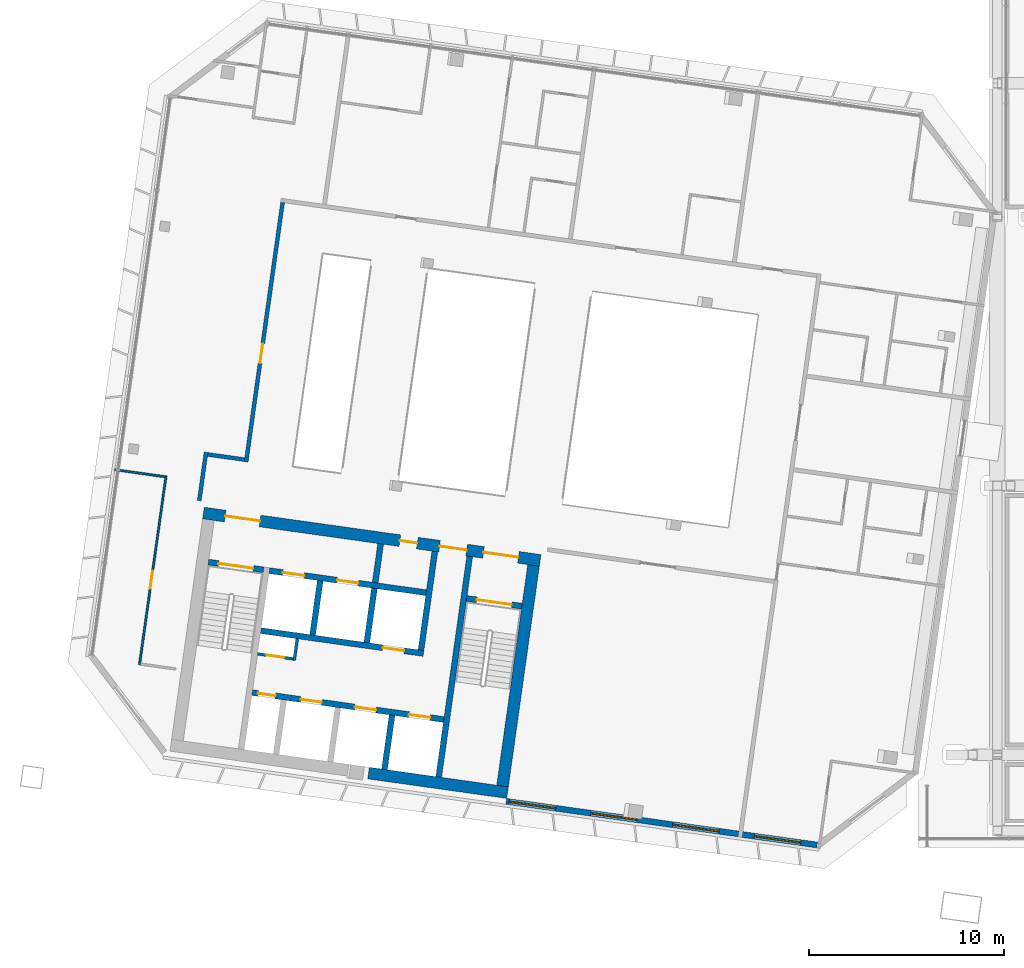
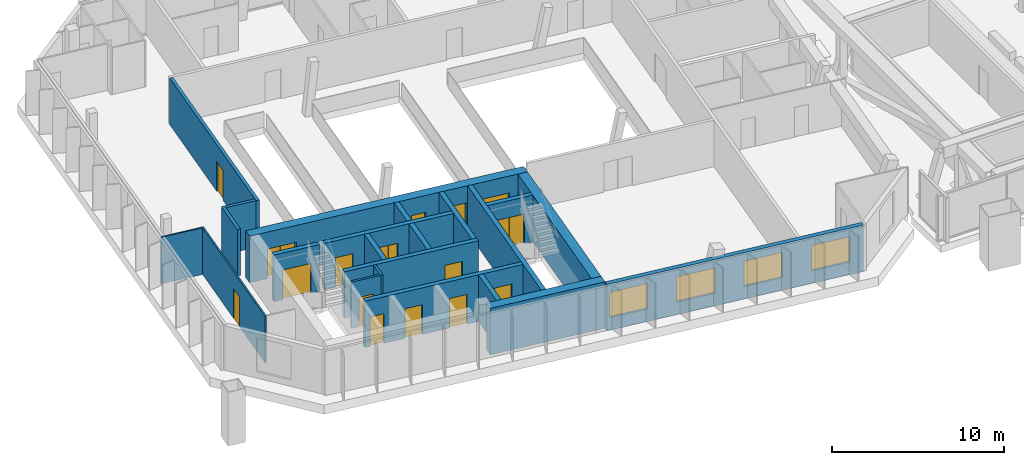
# One storey, part 15 of 25: 22 walls, 16 doors, 4 windows, 20 openings.
"""IFC4 building model written with IfcOpenShell, lengths in metres."""

from ifc_helpers import new_model, si_unit, direction, frame, frame_2d, origin, place, context, subcontext, project, spatial, rectangle, extrude, material, layer, layer_set, type_object, element, fill, save


model = new_model("IFC4")

# Units and contexts
model_context = context("Model", 3, precision=1e-05, world=origin(), true_north=direction((0.0, 1.0)))
body_context = subcontext(model_context, "Body", "Model", "MODEL_VIEW")
ifc_project = project(units=[si_unit("LENGTHUNIT", "METRE"), si_unit("AREAUNIT", "SQUARE_METRE"), si_unit("VOLUMEUNIT", "CUBIC_METRE"), si_unit("PLANEANGLEUNIT", "RADIAN"), si_unit("MASSUNIT", "GRAM", prefix="KILO")], contexts=[model_context])

# Site, building, storey
site_placement = place(None, origin())
site = spatial("IfcSite", under=ifc_project, at=site_placement, CompositionType="ELEMENT")
building_placement = place(site_placement, origin())
building = spatial("IfcBuilding", under=site, at=building_placement, Name="Mirante Cascada Hotel Towers", CompositionType="ELEMENT")
storey_placement = place(building_placement, frame((0.0, 0.0, 266.0)))
storey = spatial("IfcBuildingStorey", under=building, at=storey_placement, Name="L64", CompositionType="ELEMENT", Elevation=266.0)

# Wall
ifc_material_1 = material(Name="Fire-rated plasterboard on metal studs")
ifc_layer_1 = layer(ifc_material_1, 0.2)
ifc_layer_set_1 = layer_set([ifc_layer_1], Name="Compartment wall 200 EI 120")
wall_type_1 = type_object("IfcWallType", Name="Compartment wall 200 EI 120", PredefinedType="PARTITIONING", material=ifc_layer_set_1)
wall_1_placement = place(storey_placement, frame((-52.6552, -2.2494, 0.0), z_axis=(0.0, 0.0, 1.0), x_axis=(0.9902628, -0.1392105, 0.0)))
element("IfcWall", 1, at=wall_1_placement, inside=storey, type_object=wall_type_1, Name="Wall 1-L64-06", PredefinedType="PARTITIONING", context=body_context, shape_type="SweptSolid", body=[
    extrude(rectangle(XDim=1.9, YDim=0.2, at=frame_2d((0.95, 0.0))), origin(), (0.0, 0.0, 1.0), 3.3),
])

# Wall, opening, door
wall_2_placement = place(storey_placement, frame((-48.8237, 10.6428, 0.0), z_axis=(0.0, 0.0, 1.0), x_axis=(-0.1391716, -0.9902683, 0.0)))
wall_2 = element("IfcWall", 2, at=wall_2_placement, inside=storey, type_object=wall_type_1, Name="Wall 1-L64-42", PredefinedType="PARTITIONING", context=body_context, shape_type="SweptSolid", body=[
    extrude(rectangle(XDim=13.4, YDim=0.2, at=frame_2d((6.7, 0.0))), origin(), (0.0, 0.0, 1.0), 3.3),
])
opening_1_placement = place(wall_2_placement, frame((7.3, 0.0, 0.0)))
opening_1 = element("IfcOpeningElement", 3, at=opening_1_placement, cuts=wall_2, Name="Opening D1-L64-26", PredefinedType="OPENING", context=body_context, shape_type="SweptSolid", body=[
    extrude(rectangle(XDim=1.0, YDim=2.1, at=frame_2d((0.5, 1.05))), frame((0.0, 0.1, 0.0), z_axis=(0.0, -1.0, 0.0), x_axis=(1.0, 0.0, 0.0)), (0.0, 0.0, 1.0), 0.2),
])
ifc_material_2 = material(Name="Fire-rated timber door leaf", Category="wood")
door_type_1 = type_object("IfcDoorType", Name="Entrance door DG1 1000x2100 EI 60", OperationType="SINGLE_SWING_LEFT", PredefinedType="DOOR", material=ifc_material_2)
door_1_placement = place(opening_1_placement, frame((1.0, 0.0, 0.0), z_axis=(0.0, 0.0, 1.0), x_axis=(-1.0, 0.0, 0.0)))
door_1 = element("IfcDoor", 4, at=door_1_placement, inside=storey, type_object=door_type_1, Name="Door D1-L64-26", OperationType="SINGLE_SWING_RIGHT", OverallHeight=2.1, OverallWidth=1.0, PredefinedType="DOOR", context=body_context, shape_type="SweptSolid", body=[
    extrude(rectangle(XDim=1.0, YDim=2.1, at=frame_2d((0.5, 1.05))), frame((0.0, 0.025, 0.0), z_axis=(0.0, -1.0, 0.0), x_axis=(1.0, 0.0, 0.0)), (0.0, 0.0, 1.0), 0.05),
])
fill(opening_1, door_1)

# Walls
wall_3_placement = place(storey_placement, frame((-52.7403, -2.1365, 0.0), z_axis=(0.0, 0.0, 1.0), x_axis=(-0.1391586, -0.9902701, 0.0)))
element("IfcWall", 5, at=wall_3_placement, inside=storey, type_object=wall_type_1, Name="Wall 1-L64-44", PredefinedType="PARTITIONING", context=body_context, shape_type="SweptSolid", body=[
    extrude(rectangle(XDim=2.5, YDim=0.2, at=frame_2d((1.25, 0.0))), origin(), (0.0, 0.0, 1.0), 3.3),
])
ifc_material_3 = material(Name="Masonry block", Category="masonry")
ifc_layer_2 = layer(ifc_material_3, 0.15)
ifc_layer_set_2 = layer_set([ifc_layer_2], Name="Core room partition 150 block EI 30")
wall_type_2 = type_object("IfcWallType", Name="Core room partition 150 block EI 30", PredefinedType="PARTITIONING", material=ifc_layer_set_2)
wall_4_placement = place(storey_placement, frame((-48.2295, -12.793, 0.0), z_axis=(0.0, 0.0, 1.0), x_axis=(0.1391935, 0.9902652, 0.0)))
element("IfcWall", 6, at=wall_4_placement, inside=storey, type_object=wall_type_2, Name="Core wall partition T1 L64 2", PredefinedType="PARTITIONING", context=body_context, shape_type="SweptSolid", body=[
    extrude(rectangle(XDim=1.1251, YDim=0.15, at=frame_2d((0.5626, 0.0))), origin(), (0.0, 0.0, 1.0), 3.3),
])

# Wall, opening, door
wall_5_placement = place(storey_placement, frame((-48.2933, -12.7083, 0.0), z_axis=(0.0, 0.0, 1.0), x_axis=(-0.990268, 0.1391734, 0.0)))
wall_5 = element("IfcWall", 7, at=wall_5_placement, inside=storey, type_object=wall_type_2, Name="Core wall partition T1 L64 3", PredefinedType="PARTITIONING", context=body_context, shape_type="SweptSolid", body=[
    extrude(rectangle(XDim=1.8251, YDim=0.15, at=frame_2d((0.9126, 0.0))), origin(), (0.0, 0.0, 1.0), 3.3),
])
opening_2_placement = place(wall_5_placement, frame((0.4625, 0.0, 0.0)))
opening_2 = element("IfcOpeningElement", 8, at=opening_2_placement, cuts=wall_5, Name="Opening D1-64-C13", PredefinedType="OPENING", context=body_context, shape_type="SweptSolid", body=[
    extrude(rectangle(XDim=0.9, YDim=2.1, at=frame_2d((0.45, 1.05))), frame((0.0, 0.075, 0.0), z_axis=(0.0, -1.0, 0.0), x_axis=(1.0, 0.0, 0.0)), (0.0, 0.0, 1.0), 0.15),
])
ifc_material_4 = material(Name="Hollow metal fire door leaf")
door_type_2 = type_object("IfcDoorType", Name="Fire door 900x2100 FD60", OperationType="NOTDEFINED", PredefinedType="DOOR", material=ifc_material_4)
door_2_placement = place(opening_2_placement, origin())
door_2 = element("IfcDoor", 9, at=door_2_placement, inside=storey, type_object=door_type_2, Name="Riser door T1 L64 13", OperationType="SINGLE_SWING_LEFT", OverallHeight=2.1, OverallWidth=0.9, PredefinedType="DOOR", context=body_context, shape_type="SweptSolid", body=[
    extrude(rectangle(XDim=0.9, YDim=2.1, at=frame_2d((0.45, 1.05))), frame((0.0, 0.025, 0.0), z_axis=(0.0, -1.0, 0.0), x_axis=(1.0, 0.0, 0.0)), (0.0, 0.0, 1.0), 0.05),
])
fill(opening_2, door_2)

# Walls
ifc_material_5 = material(Name="Masonry block", Category="masonry")
ifc_layer_3 = layer(ifc_material_5, 0.3)
ifc_layer_set_3 = layer_set([ifc_layer_3], Name="Core wall 300 block EI 120")
wall_type_3 = type_object("IfcWallType", Name="Core wall 300 block EI 120", PredefinedType="PARTITIONING", material=ifc_layer_set_3)
wall_6_placement = place(storey_placement, frame((-44.0843, -8.8061, 0.0), z_axis=(0.0, 0.0, 1.0), x_axis=(0.1391951, 0.990265, 0.0)))
element("IfcWall", 10, at=wall_6_placement, inside=storey, type_object=wall_type_3, Name="Core wall partition T1 L64 1", PredefinedType="PARTITIONING", context=body_context, shape_type="SweptSolid", body=[
    extrude(rectangle(XDim=2.0001, YDim=0.3, at=frame_2d((1.0001, 0.0))), origin(), (0.0, 0.0, 1.0), 3.3),
])
ifc_material_6 = material(Name="Plasterboard on metal studs")
ifc_layer_4 = layer(ifc_material_6, 0.1)
ifc_layer_set_4 = layer_set([ifc_layer_4], Name="Partition 100")
wall_type_4 = type_object("IfcWallType", Name="Partition 100", PredefinedType="PARTITIONING", material=ifc_layer_set_4)
wall_7_placement = place(storey_placement, frame((-54.8451, -3.389, 0.0), z_axis=(0.0, 0.0, 1.0), x_axis=(-0.9902712, 0.1391507, 0.0)))
element("IfcWall", 11, at=wall_7_placement, inside=storey, type_object=wall_type_4, Name="Wall 1-L64-05", PredefinedType="PARTITIONING", context=body_context, shape_type="SweptSolid", body=[
    extrude(rectangle(XDim=2.59, YDim=0.1, at=frame_2d((1.295, 0.0))), origin(), (0.0, 0.0, 1.0), 3.3),
])

# Wall, opening, door
wall_8_placement = place(storey_placement, frame((-54.7886, -3.3465, 0.0), z_axis=(0.0, 0.0, 1.0), x_axis=(-0.1391776, -0.9902674, 0.0)))
wall_8 = element("IfcWall", 12, at=wall_8_placement, inside=storey, type_object=wall_type_4, Name="Wall 1-L64-46", PredefinedType="PARTITIONING", context=body_context, shape_type="SweptSolid", body=[
    extrude(rectangle(XDim=9.7667, YDim=0.1, at=frame_2d((4.8834, 0.0))), origin(), (0.0, 0.0, 1.0), 3.3),
])
opening_3_placement = place(wall_8_placement, frame((4.9167, 0.0, 0.0)))
opening_3 = element("IfcOpeningElement", 13, at=opening_3_placement, cuts=wall_8, Name="Opening D1-L64-28", PredefinedType="OPENING", context=body_context, shape_type="SweptSolid", body=[
    extrude(rectangle(XDim=0.9, YDim=2.1, at=frame_2d((0.45, 1.05))), frame((0.0, 0.05, 0.0), z_axis=(0.0, -1.0, 0.0), x_axis=(1.0, 0.0, 0.0)), (0.0, 0.0, 1.0), 0.1),
])
ifc_material_7 = material(Name="Timber door leaf", Category="wood")
door_type_3 = type_object("IfcDoorType", Name="Room door DG3 900x2100", OperationType="SINGLE_SWING_LEFT", PredefinedType="DOOR", material=ifc_material_7)
door_3_placement = place(opening_3_placement, origin())
door_3 = element("IfcDoor", 14, at=door_3_placement, inside=storey, type_object=door_type_3, Name="Door D1-L64-28", OperationType="SINGLE_SWING_LEFT", OverallHeight=2.1, OverallWidth=0.9, PredefinedType="DOOR", context=body_context, shape_type="SweptSolid", body=[
    extrude(rectangle(XDim=0.9, YDim=2.1, at=frame_2d((0.45, 1.05))), frame((0.0, 0.025, 0.0), z_axis=(0.0, -1.0, 0.0), x_axis=(1.0, 0.0, 0.0)), (0.0, 0.0, 1.0), 0.05),
])
fill(opening_3, door_3)

# Wall, openings, windows
ifc_material_8 = material(Name="Precast concrete C40/50", Category="concrete")
ifc_layer_5 = layer(ifc_material_8, 0.3)
ifc_layer_set_5 = layer_set([ifc_layer_5], Name="Precast concrete C40/50 cladding wall 300")
wall_type_5 = type_object("IfcWallType", Name="Precast concrete C40/50 cladding wall 300", PredefinedType="STANDARD", material=ifc_layer_set_5)
wall_9_placement = place(storey_placement, frame((-21.4719, -22.2338, 0.0), z_axis=(0.0, 0.0, 1.0), x_axis=(-0.9902678, 0.1391747, 0.0)))
wall_9 = element("IfcWall", 15, at=wall_9_placement, inside=storey, type_object=wall_type_5, Name="Rear cladding wall T1 L64 1", PredefinedType="STANDARD", context=body_context, shape_type="SweptSolid", body=[
    extrude(rectangle(XDim=16.0611, YDim=0.3, at=frame_2d((8.0306, 0.0))), origin(), (0.0, 0.0, 1.0), 3.3),
])
opening_4_placement = place(wall_9_placement, frame((0.8481, 0.0, 0.9)))
opening_4 = element("IfcOpeningElement", 16, at=opening_4_placement, cuts=wall_9, Name="Opening W1-64-01", PredefinedType="OPENING", context=body_context, shape_type="SweptSolid", body=[
    extrude(rectangle(XDim=2.4, YDim=1.8, at=frame_2d((1.2, 0.9))), frame((0.0, 0.15, 0.0), z_axis=(0.0, -1.0, 0.0), x_axis=(1.0, 0.0, 0.0)), (0.0, 0.0, 1.0), 0.3),
])
opening_5_placement = place(wall_9_placement, frame((5.0682, 0.0, 0.9)))
opening_5 = element("IfcOpeningElement", 17, at=opening_5_placement, cuts=wall_9, Name="Opening W1-64-02", PredefinedType="OPENING", context=body_context, shape_type="SweptSolid", body=[
    extrude(rectangle(XDim=2.4, YDim=1.8, at=frame_2d((1.2, 0.9))), frame((0.0, 0.15, 0.0), z_axis=(0.0, -1.0, 0.0), x_axis=(1.0, 0.0, 0.0)), (0.0, 0.0, 1.0), 0.3),
])
opening_6_placement = place(wall_9_placement, frame((9.2883, 0.0, 0.9)))
opening_6 = element("IfcOpeningElement", 18, at=opening_6_placement, cuts=wall_9, Name="Opening W1-64-03", PredefinedType="OPENING", context=body_context, shape_type="SweptSolid", body=[
    extrude(rectangle(XDim=2.4, YDim=1.8, at=frame_2d((1.2, 0.9))), frame((0.0, 0.15, 0.0), z_axis=(0.0, -1.0, 0.0), x_axis=(1.0, 0.0, 0.0)), (0.0, 0.0, 1.0), 0.3),
])
opening_7_placement = place(wall_9_placement, frame((13.5084, 0.0, 0.9)))
opening_7 = element("IfcOpeningElement", 19, at=opening_7_placement, cuts=wall_9, Name="Opening W1-64-04", PredefinedType="OPENING", context=body_context, shape_type="SweptSolid", body=[
    extrude(rectangle(XDim=2.4, YDim=1.8, at=frame_2d((1.2, 0.9))), frame((0.0, 0.15, 0.0), z_axis=(0.0, -1.0, 0.0), x_axis=(1.0, 0.0, 0.0)), (0.0, 0.0, 1.0), 0.3),
])
ifc_material_9 = material(Name="Aluminium frame with clear double glazing", Category="aluminium")
window_type = type_object("IfcWindowType", Name="Punched window 2400x1800", PartitioningType="DOUBLE_PANEL_VERTICAL", PredefinedType="WINDOW", material=ifc_material_9)
window_1_placement = place(opening_4_placement, origin())
window_1 = element("IfcWindow", 20, at=window_1_placement, inside=storey, type_object=window_type, Name="Window W1-64-01", OverallHeight=1.8, OverallWidth=2.4, PartitioningType="SINGLE_PANEL", PredefinedType="WINDOW", context=body_context, shape_type="SweptSolid", body=[
    extrude(rectangle(XDim=2.4, YDim=1.8, at=frame_2d((1.2, 0.9))), frame((0.0, 0.03, 0.0), z_axis=(0.0, -1.0, 0.0), x_axis=(1.0, 0.0, 0.0)), (0.0, 0.0, 1.0), 0.06),
])
fill(opening_4, window_1)
window_2_placement = place(opening_5_placement, origin())
window_2 = element("IfcWindow", 21, at=window_2_placement, inside=storey, type_object=window_type, Name="Window W1-64-02", OverallHeight=1.8, OverallWidth=2.4, PartitioningType="SINGLE_PANEL", PredefinedType="WINDOW", context=body_context, shape_type="SweptSolid", body=[
    extrude(rectangle(XDim=2.4, YDim=1.8, at=frame_2d((1.2, 0.9))), frame((0.0, 0.03, 0.0), z_axis=(0.0, -1.0, 0.0), x_axis=(1.0, 0.0, 0.0)), (0.0, 0.0, 1.0), 0.06),
])
fill(opening_5, window_2)
window_3_placement = place(opening_6_placement, origin())
window_3 = element("IfcWindow", 22, at=window_3_placement, inside=storey, type_object=window_type, Name="Window W1-64-03", OverallHeight=1.8, OverallWidth=2.4, PartitioningType="SINGLE_PANEL", PredefinedType="WINDOW", context=body_context, shape_type="SweptSolid", body=[
    extrude(rectangle(XDim=2.4, YDim=1.8, at=frame_2d((1.2, 0.9))), frame((0.0, 0.03, 0.0), z_axis=(0.0, -1.0, 0.0), x_axis=(1.0, 0.0, 0.0)), (0.0, 0.0, 1.0), 0.06),
])
fill(opening_6, window_3)
window_4_placement = place(opening_7_placement, origin())
window_4 = element("IfcWindow", 23, at=window_4_placement, inside=storey, type_object=window_type, Name="Window W1-64-04", OverallHeight=1.8, OverallWidth=2.4, PartitioningType="SINGLE_PANEL", PredefinedType="WINDOW", context=body_context, shape_type="SweptSolid", body=[
    extrude(rectangle(XDim=2.4, YDim=1.8, at=frame_2d((1.2, 0.9))), frame((0.0, 0.03, 0.0), z_axis=(0.0, -1.0, 0.0), x_axis=(1.0, 0.0, 0.0)), (0.0, 0.0, 1.0), 0.06),
])
fill(opening_7, window_4)

# Wall
ifc_material_10 = material(Name="Concrete C50/60", Category="concrete")
ifc_layer_6 = layer(ifc_material_10, 0.3)
ifc_layer_set_6 = layer_set([ifc_layer_6], Name="RC core wall 300 C50/60")
wall_type_6 = type_object("IfcWallType", Name="RC core wall 300 C50/60", PredefinedType="SHEAR", material=ifc_layer_set_6)
wall_10_placement = place(storey_placement, frame((-40.8373, -18.7548, 0.0), z_axis=(0.0, 0.0, 1.0), x_axis=(0.1391749, 0.9902678, 0.0)))
element("IfcWall", 24, at=wall_10_placement, inside=storey, type_object=wall_type_6, Name="Core wall T1:L64:5", PredefinedType="SHEAR", context=body_context, shape_type="SweptSolid", body=[
    extrude(rectangle(XDim=11.4, YDim=0.3, at=frame_2d((5.7, 0.0))), origin(), (0.0, 0.0, 1.0), 3.3),
])

# Wall, opening, door
wall_11_placement = place(storey_placement, frame((-36.5791, -10.0123, 0.0), z_axis=(0.0, 0.0, 1.0), x_axis=(-0.9902704, 0.1391564, 0.0)))
wall_11 = element("IfcWall", 25, at=wall_11_placement, inside=storey, type_object=wall_type_6, Name="Core wall T1:L64:7", PredefinedType="SHEAR", context=body_context, shape_type="SweptSolid", body=[
    extrude(rectangle(XDim=2.85, YDim=0.3, at=frame_2d((1.425, 0.0))), origin(), (0.0, 0.0, 1.0), 3.3),
])
opening_8_placement = place(wall_11_placement, frame((0.525, 0.0, 0.0)))
opening_8 = element("IfcOpeningElement", 26, at=opening_8_placement, cuts=wall_11, Name="Opening D1-64-C07", PredefinedType="OPENING", context=body_context, shape_type="SweptSolid", body=[
    extrude(rectangle(XDim=1.8, YDim=2.1, at=frame_2d((0.9, 1.05))), frame((0.0, 0.15, 0.0), z_axis=(0.0, -1.0, 0.0), x_axis=(1.0, 0.0, 0.0)), (0.0, 0.0, 1.0), 0.3),
])
ifc_material_11 = material(Name="Hollow metal fire door leaf")
door_type_4 = type_object("IfcDoorType", Name="Double fire door 1800x2100 FD60", OperationType="DOUBLE_DOOR_SINGLE_SWING", PredefinedType="DOOR", material=ifc_material_11)
door_4_placement = place(opening_8_placement, origin())
door_4 = element("IfcDoor", 27, at=door_4_placement, inside=storey, type_object=door_type_4, Name="Stair door T1 L64 7", OperationType="DOUBLE_DOOR_SINGLE_SWING", OverallHeight=2.1, OverallWidth=1.8, PredefinedType="DOOR", context=body_context, shape_type="SweptSolid", body=[
    extrude(rectangle(XDim=0.895, YDim=2.1, at=frame_2d((0.4475, 1.05))), frame((0.0, 0.025, 0.0), z_axis=(0.0, -1.0, 0.0), x_axis=(1.0, 0.0, 0.0)), (0.0, 0.0, 1.0), 0.05),
    extrude(rectangle(XDim=0.895, YDim=2.1, at=frame_2d((1.3525, 1.05))), frame((0.0, 0.025, 0.0), z_axis=(0.0, -1.0, 0.0), x_axis=(1.0, 0.0, 0.0)), (0.0, 0.0, 1.0), 0.05),
])
fill(opening_8, door_4)

wall_12_placement = place(storey_placement, frame((-49.7992, -8.1544, 0.0), z_axis=(0.0, 0.0, 1.0), x_axis=(-0.9902656, 0.1391909, 0.0)))
wall_12 = element("IfcWall", 28, at=wall_12_placement, inside=storey, type_object=wall_type_6, Name="Core wall T1:L64:8", PredefinedType="SHEAR", context=body_context, shape_type="SweptSolid", body=[
    extrude(rectangle(XDim=2.85, YDim=0.3, at=frame_2d((1.425, 0.0))), origin(), (0.0, 0.0, 1.0), 3.3),
])
opening_9_placement = place(wall_12_placement, frame((0.525, 0.0, 0.0)))
opening_9 = element("IfcOpeningElement", 29, at=opening_9_placement, cuts=wall_12, Name="Opening D1-64-C09", PredefinedType="OPENING", context=body_context, shape_type="SweptSolid", body=[
    extrude(rectangle(XDim=1.8, YDim=2.1, at=frame_2d((0.9, 1.05))), frame((0.0, 0.15, 0.0), z_axis=(0.0, -1.0, 0.0), x_axis=(1.0, 0.0, 0.0)), (0.0, 0.0, 1.0), 0.3),
])
door_5_placement = place(opening_9_placement, origin())
door_5 = element("IfcDoor", 30, at=door_5_placement, inside=storey, type_object=door_type_4, Name="Stair door T1 L64 9", OperationType="DOUBLE_DOOR_SINGLE_SWING", OverallHeight=2.1, OverallWidth=1.8, PredefinedType="DOOR", context=body_context, shape_type="SweptSolid", body=[
    extrude(rectangle(XDim=0.895, YDim=2.1, at=frame_2d((0.4475, 1.05))), frame((0.0, 0.025, 0.0), z_axis=(0.0, -1.0, 0.0), x_axis=(1.0, 0.0, 0.0)), (0.0, 0.0, 1.0), 0.05),
    extrude(rectangle(XDim=0.895, YDim=2.1, at=frame_2d((1.3525, 1.05))), frame((0.0, 0.025, 0.0), z_axis=(0.0, -1.0, 0.0), x_axis=(1.0, 0.0, 0.0)), (0.0, 0.0, 1.0), 0.05),
])
fill(opening_9, door_5)

# Wall, openings, doors
wall_13_placement = place(storey_placement, frame((-40.5753, -15.8126, 0.0), z_axis=(0.0, 0.0, 1.0), x_axis=(-0.9902682, 0.1391725, 0.0)))
wall_13 = element("IfcWall", 31, at=wall_13_placement, inside=storey, type_object=wall_type_6, Name="Core wall T1:L64:9", PredefinedType="SHEAR", context=body_context, shape_type="SweptSolid", body=[
    extrude(rectangle(XDim=9.8999, YDim=0.3, at=frame_2d((4.95, 0.0))), origin(), (0.0, 0.0, 1.0), 3.3),
])
opening_10_placement = place(wall_13_placement, frame((0.7, 0.0, 0.0)))
opening_10 = element("IfcOpeningElement", 32, at=opening_10_placement, cuts=wall_13, Name="Opening LD", PredefinedType="OPENING", context=body_context, shape_type="SweptSolid", body=[
    extrude(rectangle(XDim=1.1, YDim=2.1, at=frame_2d((0.55, 1.05))), frame((0.0, 0.15, 0.0), z_axis=(0.0, -1.0, 0.0), x_axis=(1.0, 0.0, 0.0)), (0.0, 0.0, 1.0), 0.3),
])
opening_11_placement = place(wall_13_placement, frame((3.5, 0.0, 0.0)))
opening_11 = element("IfcOpeningElement", 33, at=opening_11_placement, cuts=wall_13, Name="Opening LD", PredefinedType="OPENING", context=body_context, shape_type="SweptSolid", body=[
    extrude(rectangle(XDim=1.1, YDim=2.1, at=frame_2d((0.55, 1.05))), frame((0.0, 0.15, 0.0), z_axis=(0.0, -1.0, 0.0), x_axis=(1.0, 0.0, 0.0)), (0.0, 0.0, 1.0), 0.3),
])
opening_12_placement = place(wall_13_placement, frame((6.3, 0.0, 0.0)))
opening_12 = element("IfcOpeningElement", 34, at=opening_12_placement, cuts=wall_13, Name="Opening LD", PredefinedType="OPENING", context=body_context, shape_type="SweptSolid", body=[
    extrude(rectangle(XDim=1.1, YDim=2.1, at=frame_2d((0.55, 1.05))), frame((0.0, 0.15, 0.0), z_axis=(0.0, -1.0, 0.0), x_axis=(1.0, 0.0, 0.0)), (0.0, 0.0, 1.0), 0.3),
])
opening_13_placement = place(wall_13_placement, frame((8.7, 0.0, 0.0)))
opening_13 = element("IfcOpeningElement", 35, at=opening_13_placement, cuts=wall_13, Name="Opening D1-64-C12", PredefinedType="OPENING", context=body_context, shape_type="SweptSolid", body=[
    extrude(rectangle(XDim=0.9, YDim=2.1, at=frame_2d((0.45, 1.05))), frame((0.0, 0.15, 0.0), z_axis=(0.0, -1.0, 0.0), x_axis=(1.0, 0.0, 0.0)), (0.0, 0.0, 1.0), 0.3),
])
door_6_placement = place(opening_13_placement, origin())
door_6 = element("IfcDoor", 36, at=door_6_placement, inside=storey, type_object=door_type_2, Name="Riser door T1 L64 12", OperationType="SINGLE_SWING_LEFT", OverallHeight=2.1, OverallWidth=0.9, PredefinedType="DOOR", context=body_context, shape_type="SweptSolid", body=[
    extrude(rectangle(XDim=0.9, YDim=2.1, at=frame_2d((0.45, 1.05))), frame((0.0, 0.025, 0.0), z_axis=(0.0, -1.0, 0.0), x_axis=(1.0, 0.0, 0.0)), (0.0, 0.0, 1.0), 0.05),
])
fill(opening_13, door_6)
ifc_material_12 = material(Name="Stainless steel", Category="steel")
door_type_5 = type_object("IfcDoorType", Name="Lift landing door 1100x2100 EI 120", OperationType="DOUBLE_DOOR_SLIDING", PredefinedType="DOOR", material=ifc_material_12)
door_7_placement = place(opening_10_placement, origin())
door_7 = element("IfcDoor", 37, at=door_7_placement, inside=storey, type_object=door_type_5, Name="Lift landing door HR1-1 L64", OperationType="DOUBLE_DOOR_SLIDING", OverallHeight=2.1, OverallWidth=1.1, PredefinedType="DOOR", context=body_context, shape_type="SweptSolid", body=[
    extrude(rectangle(XDim=0.545, YDim=2.1, at=frame_2d((0.2725, 1.05))), frame((0.0, 0.025, 0.0), z_axis=(0.0, -1.0, 0.0), x_axis=(1.0, 0.0, 0.0)), (0.0, 0.0, 1.0), 0.05),
    extrude(rectangle(XDim=0.545, YDim=2.1, at=frame_2d((0.8275, 1.05))), frame((0.0, 0.025, 0.0), z_axis=(0.0, -1.0, 0.0), x_axis=(1.0, 0.0, 0.0)), (0.0, 0.0, 1.0), 0.05),
])
fill(opening_10, door_7)
door_8_placement = place(opening_11_placement, origin())
door_8 = element("IfcDoor", 38, at=door_8_placement, inside=storey, type_object=door_type_5, Name="Lift landing door HR1-2 L64", OperationType="DOUBLE_DOOR_SLIDING", OverallHeight=2.1, OverallWidth=1.1, PredefinedType="DOOR", context=body_context, shape_type="SweptSolid", body=[
    extrude(rectangle(XDim=0.545, YDim=2.1, at=frame_2d((0.2725, 1.05))), frame((0.0, 0.025, 0.0), z_axis=(0.0, -1.0, 0.0), x_axis=(1.0, 0.0, 0.0)), (0.0, 0.0, 1.0), 0.05),
    extrude(rectangle(XDim=0.545, YDim=2.1, at=frame_2d((0.8275, 1.05))), frame((0.0, 0.025, 0.0), z_axis=(0.0, -1.0, 0.0), x_axis=(1.0, 0.0, 0.0)), (0.0, 0.0, 1.0), 0.05),
])
fill(opening_11, door_8)
door_9_placement = place(opening_12_placement, origin())
door_9 = element("IfcDoor", 39, at=door_9_placement, inside=storey, type_object=door_type_5, Name="Lift landing door HR1-3 L64", OperationType="DOUBLE_DOOR_SLIDING", OverallHeight=2.1, OverallWidth=1.1, PredefinedType="DOOR", context=body_context, shape_type="SweptSolid", body=[
    extrude(rectangle(XDim=0.545, YDim=2.1, at=frame_2d((0.2725, 1.05))), frame((0.0, 0.025, 0.0), z_axis=(0.0, -1.0, 0.0), x_axis=(1.0, 0.0, 0.0)), (0.0, 0.0, 1.0), 0.05),
    extrude(rectangle(XDim=0.545, YDim=2.1, at=frame_2d((0.8275, 1.05))), frame((0.0, 0.025, 0.0), z_axis=(0.0, -1.0, 0.0), x_axis=(1.0, 0.0, 0.0)), (0.0, 0.0, 1.0), 0.05),
])
fill(opening_12, door_9)

# Wall, opening, door
wall_14_placement = place(storey_placement, frame((-41.6153, -12.435, 0.0), z_axis=(0.0, 0.0, 1.0), x_axis=(-0.9902691, 0.139166, 0.0)))
wall_14 = element("IfcWall", 40, at=wall_14_placement, inside=storey, type_object=wall_type_6, Name="Core wall T1:L64:10", PredefinedType="SHEAR", context=body_context, shape_type="SweptSolid", body=[
    extrude(rectangle(XDim=8.4, YDim=0.3, at=frame_2d((4.2, 0.0))), origin(), (0.0, 0.0, 1.0), 3.3),
])
opening_14_placement = place(wall_14_placement, frame((1.0, 0.0, 0.0)))
opening_14 = element("IfcOpeningElement", 41, at=opening_14_placement, cuts=wall_14, Name="Opening LD", PredefinedType="OPENING", context=body_context, shape_type="SweptSolid", body=[
    extrude(rectangle(XDim=1.1, YDim=2.1, at=frame_2d((0.55, 1.05))), frame((0.0, 0.15, 0.0), z_axis=(0.0, -1.0, 0.0), x_axis=(1.0, 0.0, 0.0)), (0.0, 0.0, 1.0), 0.3),
])
door_10_placement = place(opening_14_placement, origin())
door_10 = element("IfcDoor", 42, at=door_10_placement, inside=storey, type_object=door_type_5, Name="Lift landing door HR1-4 L64", OperationType="DOUBLE_DOOR_SLIDING", OverallHeight=2.1, OverallWidth=1.1, PredefinedType="DOOR", context=body_context, shape_type="SweptSolid", body=[
    extrude(rectangle(XDim=0.545, YDim=2.1, at=frame_2d((0.2725, 1.05))), frame((0.0, 0.025, 0.0), z_axis=(0.0, -1.0, 0.0), x_axis=(1.0, 0.0, 0.0)), (0.0, 0.0, 1.0), 0.05),
    extrude(rectangle(XDim=0.545, YDim=2.1, at=frame_2d((0.8275, 1.05))), frame((0.0, 0.025, 0.0), z_axis=(0.0, -1.0, 0.0), x_axis=(1.0, 0.0, 0.0)), (0.0, 0.0, 1.0), 0.05),
])
fill(opening_14, door_10)

# Wall, openings, doors
wall_15_placement = place(storey_placement, frame((-41.481, -9.3234, 0.0), z_axis=(0.0, 0.0, 1.0), x_axis=(-0.9902679, 0.1391741, 0.0)))
wall_15 = element("IfcWall", 43, at=wall_15_placement, inside=storey, type_object=wall_type_6, Name="Core wall T1:L64:11", PredefinedType="SHEAR", context=body_context, shape_type="SweptSolid", body=[
    extrude(rectangle(XDim=8.0999, YDim=0.3, at=frame_2d((4.05, 0.0))), origin(), (0.0, 0.0, 1.0), 3.3),
])
opening_15_placement = place(wall_15_placement, frame((3.5, 0.0, 0.0)))
opening_15 = element("IfcOpeningElement", 44, at=opening_15_placement, cuts=wall_15, Name="Opening LD", PredefinedType="OPENING", context=body_context, shape_type="SweptSolid", body=[
    extrude(rectangle(XDim=1.1, YDim=2.1, at=frame_2d((0.55, 1.05))), frame((0.0, 0.15, 0.0), z_axis=(0.0, -1.0, 0.0), x_axis=(1.0, 0.0, 0.0)), (0.0, 0.0, 1.0), 0.3),
])
opening_16_placement = place(wall_15_placement, frame((6.3, 0.0, 0.0)))
opening_16 = element("IfcOpeningElement", 45, at=opening_16_placement, cuts=wall_15, Name="Opening LD", PredefinedType="OPENING", context=body_context, shape_type="SweptSolid", body=[
    extrude(rectangle(XDim=1.1, YDim=2.1, at=frame_2d((0.55, 1.05))), frame((0.0, 0.15, 0.0), z_axis=(0.0, -1.0, 0.0), x_axis=(1.0, 0.0, 0.0)), (0.0, 0.0, 1.0), 0.3),
])
door_11_placement = place(opening_15_placement, origin())
door_11 = element("IfcDoor", 46, at=door_11_placement, inside=storey, type_object=door_type_5, Name="Lift landing door FF1 L64", OperationType="DOUBLE_DOOR_SLIDING", OverallHeight=2.1, OverallWidth=1.1, PredefinedType="DOOR", context=body_context, shape_type="SweptSolid", body=[
    extrude(rectangle(XDim=0.545, YDim=2.1, at=frame_2d((0.2725, 1.05))), frame((0.0, 0.025, 0.0), z_axis=(0.0, -1.0, 0.0), x_axis=(1.0, 0.0, 0.0)), (0.0, 0.0, 1.0), 0.05),
    extrude(rectangle(XDim=0.545, YDim=2.1, at=frame_2d((0.8275, 1.05))), frame((0.0, 0.025, 0.0), z_axis=(0.0, -1.0, 0.0), x_axis=(1.0, 0.0, 0.0)), (0.0, 0.0, 1.0), 0.05),
])
fill(opening_15, door_11)
door_12_placement = place(opening_16_placement, origin())
door_12 = element("IfcDoor", 47, at=door_12_placement, inside=storey, type_object=door_type_5, Name="Lift landing door FF2 L64", OperationType="DOUBLE_DOOR_SLIDING", OverallHeight=2.1, OverallWidth=1.1, PredefinedType="DOOR", context=body_context, shape_type="SweptSolid", body=[
    extrude(rectangle(XDim=0.545, YDim=2.1, at=frame_2d((0.2725, 1.05))), frame((0.0, 0.025, 0.0), z_axis=(0.0, -1.0, 0.0), x_axis=(1.0, 0.0, 0.0)), (0.0, 0.0, 1.0), 0.05),
    extrude(rectangle(XDim=0.545, YDim=2.1, at=frame_2d((0.8275, 1.05))), frame((0.0, 0.025, 0.0), z_axis=(0.0, -1.0, 0.0), x_axis=(1.0, 0.0, 0.0)), (0.0, 0.0, 1.0), 0.05),
])
fill(opening_16, door_12)

# Walls
wall_16_placement = place(storey_placement, frame((-43.61, -18.3651, 0.0), z_axis=(0.0, 0.0, 1.0), x_axis=(0.1391459, 0.9902719, 0.0)))
element("IfcWall", 48, at=wall_16_placement, inside=storey, type_object=wall_type_6, Name="Core wall T1:L64:12", PredefinedType="SHEAR", context=body_context, shape_type="SweptSolid", body=[
    extrude(rectangle(XDim=2.7999, YDim=0.3, at=frame_2d((1.4, 0.0))), origin(), (0.0, 0.0, 1.0), 3.3),
])
for number, where, z_axis, x_axis, name in (
    (49, (-44.5157, -11.8759, 0.0), (0.0, 0.0, 1.0), (0.139181, 0.990267, 0.0), "Core wall T1:L64:15"),
    (50, (-47.2885, -11.4862, 0.0), (0.0, 0.0, 1.0), (0.139181, 0.990267, 0.0), "Core wall T1:L64:16"),
):
    element("IfcWall", number, at=place(storey_placement, frame(where, z_axis=z_axis, x_axis=x_axis)), inside=storey, type_object=wall_type_6, Name=name, PredefinedType="SHEAR", context=body_context, shape_type="SweptSolid", body=[
        extrude(rectangle(XDim=2.8, YDim=0.3, at=frame_2d((1.4, 0.0))), origin(), (0.0, 0.0, 1.0), 3.3),
    ])
wall_17_placement = place(storey_placement, frame((-41.743, -12.2656, 0.0), z_axis=(0.0, 0.0, 1.0), x_axis=(0.1391755, 0.9902677, 0.0)))
element("IfcWall", 51, at=wall_17_placement, inside=storey, type_object=wall_type_6, Name="Core wall T1:L64:17", PredefinedType="SHEAR", context=body_context, shape_type="SweptSolid", body=[
    extrude(rectangle(XDim=5.1, YDim=0.3, at=frame_2d((2.55, 0.0))), origin(), (0.0, 0.0, 1.0), 3.3),
])
ifc_material_13 = material(Name="Concrete C50/60", Category="concrete")
ifc_layer_7 = layer(ifc_material_13, 0.6)
ifc_layer_set_7 = layer_set([ifc_layer_7], Name="RC core wall 600 C50/60")
wall_type_7 = type_object("IfcWallType", Name="RC core wall 600 C50/60", PredefinedType="SHEAR", material=ifc_layer_set_7)
wall_18_placement = place(storey_placement, frame((-37.3141, -19.5529, 0.0), z_axis=(0.0, 0.0, 1.0), x_axis=(-0.9902685, 0.1391699, 0.0)))
element("IfcWall", 52, at=wall_18_placement, inside=storey, type_object=wall_type_7, Name="Core wall T1:L64:1.1", PredefinedType="SHEAR", context=body_context, shape_type="SweptSolid", body=[
    extrude(rectangle(XDim=7.1833, YDim=0.6, at=frame_2d((3.5916, 0.0))), origin(), (0.0, 0.0, 1.0), 3.3),
])

# Wall, openings, doors
wall_19_placement = place(storey_placement, frame((-35.644, -7.6697, 0.0), z_axis=(0.0, 0.0, 1.0), x_axis=(-0.9902682, 0.1391721, 0.0)))
wall_19 = element("IfcWall", 53, at=wall_19_placement, inside=storey, type_object=wall_type_7, Name="Core wall T1:L64:2", PredefinedType="SHEAR", context=body_context, shape_type="SweptSolid", body=[
    extrude(rectangle(XDim=17.4, YDim=0.6, at=frame_2d((8.7, 0.0))), origin(), (0.0, 0.0, 1.0), 3.3),
])
opening_17_placement = place(wall_19_placement, frame((1.125, 0.0, 0.0)))
opening_17 = element("IfcOpeningElement", 54, at=opening_17_placement, cuts=wall_19, Name="Opening D1-64-C08", PredefinedType="OPENING", context=body_context, shape_type="SweptSolid", body=[
    extrude(rectangle(XDim=1.8, YDim=2.1, at=frame_2d((0.9, 1.05))), frame((0.0, 0.3, 0.0), z_axis=(0.0, -1.0, 0.0), x_axis=(1.0, 0.0, 0.0)), (0.0, 0.0, 1.0), 0.6),
])
opening_18_placement = place(wall_19_placement, frame((14.475, 0.0, 0.0)))
opening_18 = element("IfcOpeningElement", 55, at=opening_18_placement, cuts=wall_19, Name="Opening D1-64-C10", PredefinedType="OPENING", context=body_context, shape_type="SweptSolid", body=[
    extrude(rectangle(XDim=1.8, YDim=2.1, at=frame_2d((0.9, 1.05))), frame((0.0, 0.3, 0.0), z_axis=(0.0, -1.0, 0.0), x_axis=(1.0, 0.0, 0.0)), (0.0, 0.0, 1.0), 0.6),
])
opening_19_placement = place(wall_19_placement, frame((3.8, 0.0, 0.0)))
opening_19 = element("IfcOpeningElement", 56, at=opening_19_placement, cuts=wall_19, Name="Opening D1-64-C11", PredefinedType="OPENING", context=body_context, shape_type="SweptSolid", body=[
    extrude(rectangle(XDim=1.4, YDim=2.1, at=frame_2d((0.7, 1.05))), frame((0.0, 0.3, 0.0), z_axis=(0.0, -1.0, 0.0), x_axis=(1.0, 0.0, 0.0)), (0.0, 0.0, 1.0), 0.6),
])
opening_20_placement = place(wall_19_placement, frame((6.35, 0.0, 0.0)))
opening_20 = element("IfcOpeningElement", 57, at=opening_20_placement, cuts=wall_19, Name="Opening D1-64-C14", PredefinedType="OPENING", context=body_context, shape_type="SweptSolid", body=[
    extrude(rectangle(XDim=0.9, YDim=2.1, at=frame_2d((0.45, 1.05))), frame((0.0, 0.3, 0.0), z_axis=(0.0, -1.0, 0.0), x_axis=(1.0, 0.0, 0.0)), (0.0, 0.0, 1.0), 0.6),
])
ifc_material_14 = material(Name="Hollow metal fire door leaf")
door_type_6 = type_object("IfcDoorType", Name="Double fire door 1400x2100 FD60", OperationType="DOUBLE_DOOR_SINGLE_SWING", PredefinedType="DOOR", material=ifc_material_14)
door_13_placement = place(opening_19_placement, frame((1.4, 0.0, 0.0), z_axis=(0.0, 0.0, 1.0), x_axis=(-1.0, 0.0, 0.0)))
door_13 = element("IfcDoor", 58, at=door_13_placement, inside=storey, type_object=door_type_6, Name="Exit door to gallery T1 L64 11", OperationType="DOUBLE_DOOR_SINGLE_SWING", OverallHeight=2.1, OverallWidth=1.4, PredefinedType="DOOR", context=body_context, shape_type="SweptSolid", body=[
    extrude(rectangle(XDim=0.695, YDim=2.1, at=frame_2d((0.3475, 1.05))), frame((0.0, 0.025, 0.0), z_axis=(0.0, -1.0, 0.0), x_axis=(1.0, 0.0, 0.0)), (0.0, 0.0, 1.0), 0.05),
    extrude(rectangle(XDim=0.695, YDim=2.1, at=frame_2d((1.0525, 1.05))), frame((0.0, 0.025, 0.0), z_axis=(0.0, -1.0, 0.0), x_axis=(1.0, 0.0, 0.0)), (0.0, 0.0, 1.0), 0.05),
])
fill(opening_19, door_13)
door_14_placement = place(opening_17_placement, origin())
door_14 = element("IfcDoor", 59, at=door_14_placement, inside=storey, type_object=door_type_4, Name="Exit door to gallery T1 L64 8", OperationType="DOUBLE_DOOR_SINGLE_SWING", OverallHeight=2.1, OverallWidth=1.8, PredefinedType="DOOR", context=body_context, shape_type="SweptSolid", body=[
    extrude(rectangle(XDim=0.895, YDim=2.1, at=frame_2d((0.4475, 1.05))), frame((0.0, 0.025, 0.0), z_axis=(0.0, -1.0, 0.0), x_axis=(1.0, 0.0, 0.0)), (0.0, 0.0, 1.0), 0.05),
    extrude(rectangle(XDim=0.895, YDim=2.1, at=frame_2d((1.3525, 1.05))), frame((0.0, 0.025, 0.0), z_axis=(0.0, -1.0, 0.0), x_axis=(1.0, 0.0, 0.0)), (0.0, 0.0, 1.0), 0.05),
])
fill(opening_17, door_14)
door_15_placement = place(opening_18_placement, origin())
door_15 = element("IfcDoor", 60, at=door_15_placement, inside=storey, type_object=door_type_4, Name="Exit door to gallery T1 L64 10", OperationType="DOUBLE_DOOR_SINGLE_SWING", OverallHeight=2.1, OverallWidth=1.8, PredefinedType="DOOR", context=body_context, shape_type="SweptSolid", body=[
    extrude(rectangle(XDim=0.895, YDim=2.1, at=frame_2d((0.4475, 1.05))), frame((0.0, 0.025, 0.0), z_axis=(0.0, -1.0, 0.0), x_axis=(1.0, 0.0, 0.0)), (0.0, 0.0, 1.0), 0.05),
    extrude(rectangle(XDim=0.895, YDim=2.1, at=frame_2d((1.3525, 1.05))), frame((0.0, 0.025, 0.0), z_axis=(0.0, -1.0, 0.0), x_axis=(1.0, 0.0, 0.0)), (0.0, 0.0, 1.0), 0.05),
])
fill(opening_18, door_15)
door_16_placement = place(opening_20_placement, origin())
door_16 = element("IfcDoor", 61, at=door_16_placement, inside=storey, type_object=door_type_2, Name="Room door T1 L64 14", OperationType="SINGLE_SWING_RIGHT", OverallHeight=2.1, OverallWidth=0.9, PredefinedType="DOOR", context=body_context, shape_type="SweptSolid", body=[
    extrude(rectangle(XDim=0.9, YDim=2.1, at=frame_2d((0.45, 1.05))), frame((0.0, 0.025, 0.0), z_axis=(0.0, -1.0, 0.0), x_axis=(1.0, 0.0, 0.0)), (0.0, 0.0, 1.0), 0.05),
])
fill(opening_20, door_16)

# Wall
wall_20_placement = place(storey_placement, frame((-37.5694, -19.2141, 0.0), z_axis=(0.0, 0.0, 1.0), x_axis=(0.1391749, 0.9902678, 0.0)))
element("IfcWall", 62, at=wall_20_placement, inside=storey, type_object=wall_type_7, Name="Core wall T1:L64:3", PredefinedType="SHEAR", context=body_context, shape_type="SweptSolid", body=[
    extrude(rectangle(XDim=11.4, YDim=0.6, at=frame_2d((5.7, 0.0))), origin(), (0.0, 0.0, 1.0), 3.3),
])

save(model, "model.ifc")
